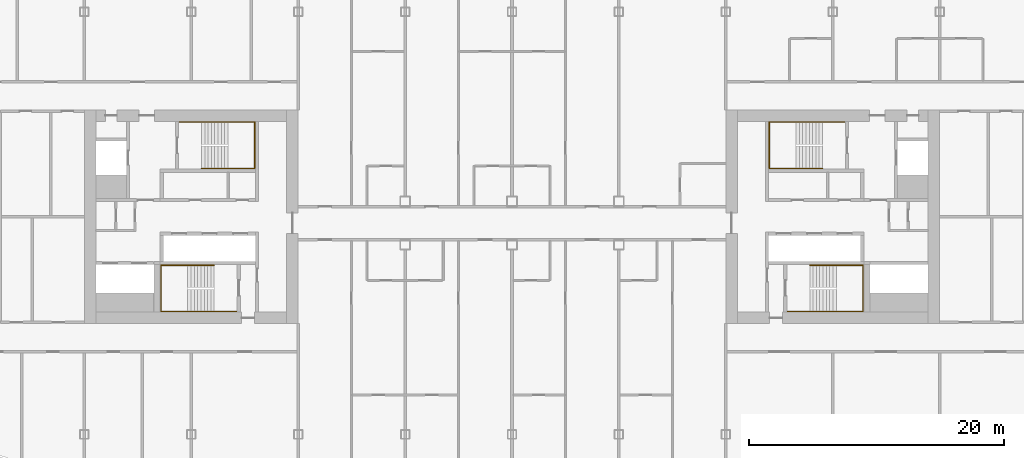
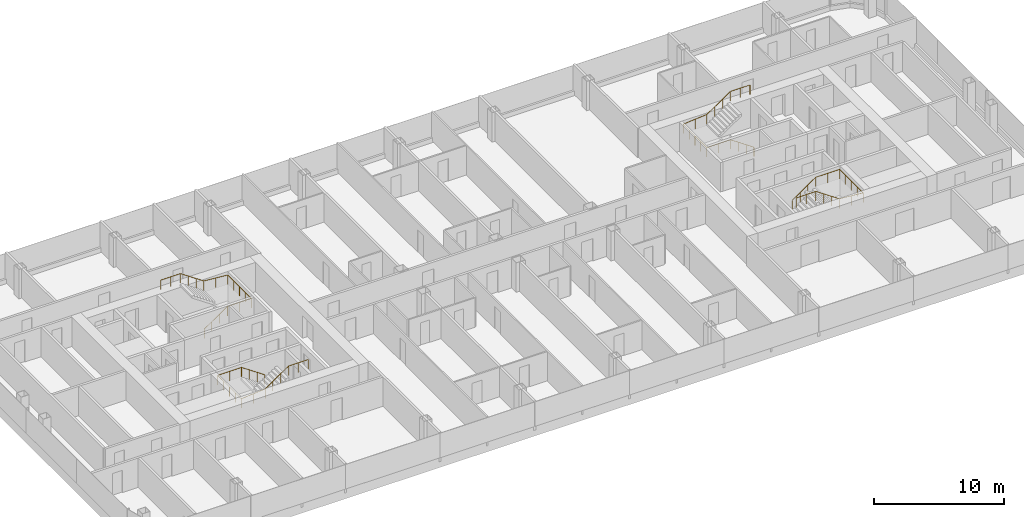
# One storey, part 26 of 26: 4 railings.
"""IFC4 building model written with IfcOpenShell, lengths in metres."""

from ifc_helpers import new_model, si_unit, direction, frame, origin, origin_2d, place, context, subcontext, project, spatial, circle, extrude, material, type_object, element, save


model = new_model("IFC4")

# Units and contexts
model_context = context("Model", 3, precision=1e-05, world=origin(), true_north=direction((0.0, 1.0)))
body_context = subcontext(model_context, "Body", "Model", "MODEL_VIEW")
ifc_project = project(units=[si_unit("LENGTHUNIT", "METRE"), si_unit("AREAUNIT", "SQUARE_METRE"), si_unit("VOLUMEUNIT", "CUBIC_METRE"), si_unit("PLANEANGLEUNIT", "RADIAN"), si_unit("MASSUNIT", "GRAM", prefix="KILO")], contexts=[model_context])

# Site, building, storey
site_placement = place(None, origin())
site = spatial("IfcSite", under=ifc_project, at=site_placement, CompositionType="ELEMENT")
building_placement = place(site_placement, origin())
building = spatial("IfcBuilding", under=site, at=building_placement, Name="Hakoniwa Tower and Hamabe Station Hall", CompositionType="ELEMENT")
storey_placement = place(building_placement, frame((0.0, 0.0, 159.800048828125)))
storey = spatial("IfcBuildingStorey", under=building, at=storey_placement, Name="L45", CompositionType="ELEMENT", Elevation=159.800048828125)

# Railings
ifc_material = material(Name="Stainless steel SUS304", Category="steel")
railing_type = type_object("IfcRailingType", Name="STAIR HANDRAIL 900", PredefinedType="HANDRAIL", material=ifc_material)
railing_1_placement = place(storey_placement, frame((-24.39990234375, 3.81005859375, 0.177734375)))
element("IfcRailing", 1, at=railing_1_placement, inside=storey, type_object=railing_type, Name="Handrail ST-1 L45 1", PredefinedType="HANDRAIL", context=body_context, shape_type="SweptSolid", body=[
    extrude(circle(Radius=0.02392578125, at=origin_2d()), frame((0.0, 0.0, 0.8759765625), z_axis=(0.825478349766, 0.0, 0.564433781827), x_axis=(0.0, 1.0, 0.0)), (0.0, 0.0, 1.0), 2.51953125),
    extrude(circle(Radius=0.02392578125, at=origin_2d()), frame((2.079833984375, 0.0, 2.2978515625), z_axis=(1.0, 0.0, 0.0), x_axis=(0.0, 1.0, 0.0)), (0.0, 0.0, 1.0), 2.110107421875),
    extrude(circle(Radius=0.02392578125, at=origin_2d()), frame((4.18994140625, 0.0, 2.2978515625), z_axis=(0.0, 1.0, 0.0), x_axis=(-1.0, 0.0, 0.0)), (0.0, 0.0, 1.0), 3.6298828125),
    extrude(circle(Radius=0.02392578125, at=origin_2d()), frame((4.18994140625, 3.6298828125, 2.2978515625), z_axis=(-0.996461767938, 0.0, 0.084047278587), x_axis=(0.0, -1.0, 0.0)), (0.0, 0.0, 1.0), 2.11767578125),
    extrude(circle(Radius=0.02392578125, at=origin_2d()), frame((2.079833984375, 3.6298828125, 2.47607421875), z_axis=(-0.825478349766, 0.0, 0.564433781827), x_axis=(0.0, -1.0, 0.0)), (0.0, 0.0, 1.0), 2.51953125),
    extrude(circle(Radius=0.02392578125, at=origin_2d()), frame((0.0, 3.6298828125, 3.89794921875), z_axis=(-1.0, 0.0, 0.0), x_axis=(0.0, -1.0, 0.0)), (0.0, 0.0, 1.0), 1.739990234375),
    extrude(circle(Radius=0.02099609375, at=origin_2d()), origin(), (0.0, 0.0, 1.0), 0.851806640625),
    extrude(circle(Radius=0.02099609375, at=origin_2d()), frame((0.693359375, 0.0, 0.47412109375)), (0.0, 0.0, 1.0), 0.851806640625),
    extrude(circle(Radius=0.02099609375, at=origin_2d()), frame((1.386474609375, 0.0, 0.947998046875)), (0.0, 0.0, 1.0), 0.851806640625),
    extrude(circle(Radius=0.02099609375, at=origin_2d()), frame((2.079833984375, 0.0, 1.422119140625)), (0.0, 0.0, 1.0), 0.851806640625),
    extrude(circle(Radius=0.02099609375, at=origin_2d()), frame((3.134765625, 0.0, 1.422119140625)), (0.0, 0.0, 1.0), 0.851806640625),
    extrude(circle(Radius=0.02099609375, at=origin_2d()), frame((4.18994140625, 0.0, 1.422119140625)), (0.0, 0.0, 1.0), 0.851806640625),
    extrude(circle(Radius=0.02099609375, at=origin_2d()), frame((4.18994140625, 0.907470703125, 1.422119140625)), (0.0, 0.0, 1.0), 0.851806640625),
    extrude(circle(Radius=0.02099609375, at=origin_2d()), frame((4.18994140625, 1.81494140625, 1.422119140625)), (0.0, 0.0, 1.0), 0.851806640625),
    extrude(circle(Radius=0.02099609375, at=origin_2d()), frame((4.18994140625, 2.722412109375, 1.422119140625)), (0.0, 0.0, 1.0), 0.851806640625),
    extrude(circle(Radius=0.02099609375, at=origin_2d()), frame((4.18994140625, 3.6298828125, 1.422119140625)), (0.0, 0.0, 1.0), 0.851806640625),
    extrude(circle(Radius=0.02099609375, at=origin_2d()), frame((3.134765625, 3.6298828125, 1.51123046875)), (0.0, 0.0, 1.0), 0.851806640625),
    extrude(circle(Radius=0.02099609375, at=origin_2d()), frame((2.079833984375, 3.6298828125, 1.60009765625)), (0.0, 0.0, 1.0), 0.851806640625),
    extrude(circle(Radius=0.02099609375, at=origin_2d()), frame((1.386474609375, 3.6298828125, 2.07421875)), (0.0, 0.0, 1.0), 0.851806640625),
    extrude(circle(Radius=0.02099609375, at=origin_2d()), frame((0.693359375, 3.6298828125, 2.548095703125)), (0.0, 0.0, 1.0), 0.851806640625),
    extrude(circle(Radius=0.02099609375, at=origin_2d()), frame((0.0, 3.6298828125, 3.022216796875)), (0.0, 0.0, 1.0), 0.851806640625),
    extrude(circle(Radius=0.02099609375, at=origin_2d()), frame((-0.8701171875, 3.6298828125, 3.022216796875)), (0.0, 0.0, 1.0), 0.851806640625),
    extrude(circle(Radius=0.02099609375, at=origin_2d()), frame((-1.739990234375, 3.6298828125, 3.022216796875)), (0.0, 0.0, 1.0), 0.851806640625),
])
railing_2_placement = place(storey_placement, frame((-23.39990234375, -3.81005859375, 0.177734375)))
element("IfcRailing", 2, at=railing_2_placement, inside=storey, type_object=railing_type, Name="Handrail ST-2 L45 1", PredefinedType="HANDRAIL", context=body_context, shape_type="SweptSolid", body=[
    extrude(circle(Radius=0.02392578125, at=origin_2d()), frame((0.0, 0.0, 0.8759765625), z_axis=(-0.82550921652, 0.0, 0.564388636881), x_axis=(0.0, -1.0, 0.0)), (0.0, 0.0, 1.0), 2.519775390625),
    extrude(circle(Radius=0.02392578125, at=origin_2d()), frame((-2.080078125, 0.0, 2.2978515625), z_axis=(-1.0, 0.0, 0.0), x_axis=(0.0, -1.0, 0.0)), (0.0, 0.0, 1.0), 2.110107421875),
    extrude(circle(Radius=0.02392578125, at=origin_2d()), frame((-4.190185546875, 0.0, 2.2978515625), z_axis=(0.0, -1.0, 0.0), x_axis=(1.0, 0.0, 0.0)), (0.0, 0.0, 1.0), 3.6298828125),
    extrude(circle(Radius=0.02392578125, at=origin_2d()), frame((-4.190185546875, -3.6298828125, 2.2978515625), z_axis=(0.996461767938, 0.0, 0.084047278587), x_axis=(0.0, 1.0, 0.0)), (0.0, 0.0, 1.0), 2.11767578125),
    extrude(circle(Radius=0.02392578125, at=origin_2d()), frame((-2.080078125, -3.6298828125, 2.47607421875), z_axis=(0.82550921652, 0.0, 0.564388636881), x_axis=(0.0, 1.0, 0.0)), (0.0, 0.0, 1.0), 2.519775390625),
    extrude(circle(Radius=0.02392578125, at=origin_2d()), frame((0.0, -3.6298828125, 3.89794921875), z_axis=(1.0, 0.0, 0.0), x_axis=(0.0, 1.0, 0.0)), (0.0, 0.0, 1.0), 1.739990234375),
    extrude(circle(Radius=0.02099609375, at=origin_2d()), origin(), (0.0, 0.0, 1.0), 0.851806640625),
    extrude(circle(Radius=0.02099609375, at=origin_2d()), frame((-0.693359375, 0.0, 0.47412109375)), (0.0, 0.0, 1.0), 0.851806640625),
    extrude(circle(Radius=0.02099609375, at=origin_2d()), frame((-1.38671875, 0.0, 0.947998046875)), (0.0, 0.0, 1.0), 0.851806640625),
    extrude(circle(Radius=0.02099609375, at=origin_2d()), frame((-2.080078125, 0.0, 1.422119140625)), (0.0, 0.0, 1.0), 0.851806640625),
    extrude(circle(Radius=0.02099609375, at=origin_2d()), frame((-3.13525390625, 0.0, 1.422119140625)), (0.0, 0.0, 1.0), 0.851806640625),
    extrude(circle(Radius=0.02099609375, at=origin_2d()), frame((-4.190185546875, 0.0, 1.422119140625)), (0.0, 0.0, 1.0), 0.851806640625),
    extrude(circle(Radius=0.02099609375, at=origin_2d()), frame((-4.190185546875, -0.907470703125, 1.422119140625)), (0.0, 0.0, 1.0), 0.851806640625),
    extrude(circle(Radius=0.02099609375, at=origin_2d()), frame((-4.190185546875, -1.81494140625, 1.422119140625)), (0.0, 0.0, 1.0), 0.851806640625),
    extrude(circle(Radius=0.02099609375, at=origin_2d()), frame((-4.190185546875, -2.722412109375, 1.422119140625)), (0.0, 0.0, 1.0), 0.851806640625),
    extrude(circle(Radius=0.02099609375, at=origin_2d()), frame((-4.190185546875, -3.6298828125, 1.422119140625)), (0.0, 0.0, 1.0), 0.851806640625),
    extrude(circle(Radius=0.02099609375, at=origin_2d()), frame((-3.13525390625, -3.6298828125, 1.51123046875)), (0.0, 0.0, 1.0), 0.851806640625),
    extrude(circle(Radius=0.02099609375, at=origin_2d()), frame((-2.080078125, -3.6298828125, 1.60009765625)), (0.0, 0.0, 1.0), 0.851806640625),
    extrude(circle(Radius=0.02099609375, at=origin_2d()), frame((-1.38671875, -3.6298828125, 2.07421875)), (0.0, 0.0, 1.0), 0.851806640625),
    extrude(circle(Radius=0.02099609375, at=origin_2d()), frame((-0.693359375, -3.6298828125, 2.548095703125)), (0.0, 0.0, 1.0), 0.851806640625),
    extrude(circle(Radius=0.02099609375, at=origin_2d()), frame((0.0, -3.6298828125, 3.022216796875)), (0.0, 0.0, 1.0), 0.851806640625),
    extrude(circle(Radius=0.02099609375, at=origin_2d()), frame((0.8701171875, -3.6298828125, 3.022216796875)), (0.0, 0.0, 1.0), 0.851806640625),
    extrude(circle(Radius=0.02099609375, at=origin_2d()), frame((1.739990234375, -3.6298828125, 3.022216796875)), (0.0, 0.0, 1.0), 0.851806640625),
])
railing_3_placement = place(storey_placement, frame((24.39990234375, 3.81005859375, 0.177734375)))
element("IfcRailing", 3, at=railing_3_placement, inside=storey, type_object=railing_type, Name="Handrail ST-3 L45 1", PredefinedType="HANDRAIL", context=body_context, shape_type="SweptSolid", body=[
    extrude(circle(Radius=0.02392578125, at=origin_2d()), frame((0.0, 0.0, 0.8759765625), z_axis=(-0.825478349766, 0.0, 0.564433781827), x_axis=(0.0, -1.0, 0.0)), (0.0, 0.0, 1.0), 2.51953125),
    extrude(circle(Radius=0.02392578125, at=origin_2d()), frame((-2.079833984375, 0.0, 2.2978515625), z_axis=(-1.0, 0.0, 0.0), x_axis=(0.0, -1.0, 0.0)), (0.0, 0.0, 1.0), 2.110107421875),
    extrude(circle(Radius=0.02392578125, at=origin_2d()), frame((-4.18994140625, 0.0, 2.2978515625), z_axis=(0.0, 1.0, 0.0), x_axis=(-1.0, 0.0, 0.0)), (0.0, 0.0, 1.0), 3.6298828125),
    extrude(circle(Radius=0.02392578125, at=origin_2d()), frame((-4.18994140625, 3.6298828125, 2.2978515625), z_axis=(0.996461767938, 0.0, 0.084047278587), x_axis=(0.0, 1.0, 0.0)), (0.0, 0.0, 1.0), 2.11767578125),
    extrude(circle(Radius=0.02392578125, at=origin_2d()), frame((-2.079833984375, 3.6298828125, 2.47607421875), z_axis=(0.825478349766, 0.0, 0.564433781827), x_axis=(0.0, 1.0, 0.0)), (0.0, 0.0, 1.0), 2.51953125),
    extrude(circle(Radius=0.02392578125, at=origin_2d()), frame((0.0, 3.6298828125, 3.89794921875), z_axis=(1.0, 0.0, 0.0), x_axis=(0.0, 1.0, 0.0)), (0.0, 0.0, 1.0), 1.739990234375),
    extrude(circle(Radius=0.02099609375, at=origin_2d()), origin(), (0.0, 0.0, 1.0), 0.851806640625),
    extrude(circle(Radius=0.02099609375, at=origin_2d()), frame((-0.693359375, 0.0, 0.47412109375)), (0.0, 0.0, 1.0), 0.851806640625),
    extrude(circle(Radius=0.02099609375, at=origin_2d()), frame((-1.386474609375, 0.0, 0.947998046875)), (0.0, 0.0, 1.0), 0.851806640625),
    extrude(circle(Radius=0.02099609375, at=origin_2d()), frame((-2.079833984375, 0.0, 1.422119140625)), (0.0, 0.0, 1.0), 0.851806640625),
    extrude(circle(Radius=0.02099609375, at=origin_2d()), frame((-3.134765625, 0.0, 1.422119140625)), (0.0, 0.0, 1.0), 0.851806640625),
    extrude(circle(Radius=0.02099609375, at=origin_2d()), frame((-4.18994140625, 0.0, 1.422119140625)), (0.0, 0.0, 1.0), 0.851806640625),
    extrude(circle(Radius=0.02099609375, at=origin_2d()), frame((-4.18994140625, 0.907470703125, 1.422119140625)), (0.0, 0.0, 1.0), 0.851806640625),
    extrude(circle(Radius=0.02099609375, at=origin_2d()), frame((-4.18994140625, 1.81494140625, 1.422119140625)), (0.0, 0.0, 1.0), 0.851806640625),
    extrude(circle(Radius=0.02099609375, at=origin_2d()), frame((-4.18994140625, 2.722412109375, 1.422119140625)), (0.0, 0.0, 1.0), 0.851806640625),
    extrude(circle(Radius=0.02099609375, at=origin_2d()), frame((-4.18994140625, 3.6298828125, 1.422119140625)), (0.0, 0.0, 1.0), 0.851806640625),
    extrude(circle(Radius=0.02099609375, at=origin_2d()), frame((-3.134765625, 3.6298828125, 1.51123046875)), (0.0, 0.0, 1.0), 0.851806640625),
    extrude(circle(Radius=0.02099609375, at=origin_2d()), frame((-2.079833984375, 3.6298828125, 1.60009765625)), (0.0, 0.0, 1.0), 0.851806640625),
    extrude(circle(Radius=0.02099609375, at=origin_2d()), frame((-1.386474609375, 3.6298828125, 2.07421875)), (0.0, 0.0, 1.0), 0.851806640625),
    extrude(circle(Radius=0.02099609375, at=origin_2d()), frame((-0.693359375, 3.6298828125, 2.548095703125)), (0.0, 0.0, 1.0), 0.851806640625),
    extrude(circle(Radius=0.02099609375, at=origin_2d()), frame((0.0, 3.6298828125, 3.022216796875)), (0.0, 0.0, 1.0), 0.851806640625),
    extrude(circle(Radius=0.02099609375, at=origin_2d()), frame((0.8701171875, 3.6298828125, 3.022216796875)), (0.0, 0.0, 1.0), 0.851806640625),
    extrude(circle(Radius=0.02099609375, at=origin_2d()), frame((1.739990234375, 3.6298828125, 3.022216796875)), (0.0, 0.0, 1.0), 0.851806640625),
])
railing_4_placement = place(storey_placement, frame((23.39990234375, -3.81005859375, 0.177734375)))
element("IfcRailing", 4, at=railing_4_placement, inside=storey, type_object=railing_type, Name="Handrail ST-4 L45 1", PredefinedType="HANDRAIL", context=body_context, shape_type="SweptSolid", body=[
    extrude(circle(Radius=0.02392578125, at=origin_2d()), frame((0.0, 0.0, 0.8759765625), z_axis=(0.82550921652, 0.0, 0.564388636881), x_axis=(0.0, 1.0, 0.0)), (0.0, 0.0, 1.0), 2.519775390625),
    extrude(circle(Radius=0.02392578125, at=origin_2d()), frame((2.080078125, 0.0, 2.2978515625), z_axis=(1.0, 0.0, 0.0), x_axis=(0.0, 1.0, 0.0)), (0.0, 0.0, 1.0), 2.110107421875),
    extrude(circle(Radius=0.02392578125, at=origin_2d()), frame((4.190185546875, 0.0, 2.2978515625), z_axis=(0.0, -1.0, 0.0), x_axis=(1.0, 0.0, 0.0)), (0.0, 0.0, 1.0), 3.6298828125),
    extrude(circle(Radius=0.02392578125, at=origin_2d()), frame((4.190185546875, -3.6298828125, 2.2978515625), z_axis=(-0.996461767938, 0.0, 0.084047278587), x_axis=(0.0, -1.0, 0.0)), (0.0, 0.0, 1.0), 2.11767578125),
    extrude(circle(Radius=0.02392578125, at=origin_2d()), frame((2.080078125, -3.6298828125, 2.47607421875), z_axis=(-0.82550921652, 0.0, 0.564388636881), x_axis=(0.0, -1.0, 0.0)), (0.0, 0.0, 1.0), 2.519775390625),
    extrude(circle(Radius=0.02392578125, at=origin_2d()), frame((0.0, -3.6298828125, 3.89794921875), z_axis=(-1.0, 0.0, 0.0), x_axis=(0.0, -1.0, 0.0)), (0.0, 0.0, 1.0), 1.739990234375),
    extrude(circle(Radius=0.02099609375, at=origin_2d()), origin(), (0.0, 0.0, 1.0), 0.851806640625),
    extrude(circle(Radius=0.02099609375, at=origin_2d()), frame((0.693359375, 0.0, 0.47412109375)), (0.0, 0.0, 1.0), 0.851806640625),
    extrude(circle(Radius=0.02099609375, at=origin_2d()), frame((1.38671875, 0.0, 0.947998046875)), (0.0, 0.0, 1.0), 0.851806640625),
    extrude(circle(Radius=0.02099609375, at=origin_2d()), frame((2.080078125, 0.0, 1.422119140625)), (0.0, 0.0, 1.0), 0.851806640625),
    extrude(circle(Radius=0.02099609375, at=origin_2d()), frame((3.13525390625, 0.0, 1.422119140625)), (0.0, 0.0, 1.0), 0.851806640625),
    extrude(circle(Radius=0.02099609375, at=origin_2d()), frame((4.190185546875, 0.0, 1.422119140625)), (0.0, 0.0, 1.0), 0.851806640625),
    extrude(circle(Radius=0.02099609375, at=origin_2d()), frame((4.190185546875, -0.907470703125, 1.422119140625)), (0.0, 0.0, 1.0), 0.851806640625),
    extrude(circle(Radius=0.02099609375, at=origin_2d()), frame((4.190185546875, -1.81494140625, 1.422119140625)), (0.0, 0.0, 1.0), 0.851806640625),
    extrude(circle(Radius=0.02099609375, at=origin_2d()), frame((4.190185546875, -2.722412109375, 1.422119140625)), (0.0, 0.0, 1.0), 0.851806640625),
    extrude(circle(Radius=0.02099609375, at=origin_2d()), frame((4.190185546875, -3.6298828125, 1.422119140625)), (0.0, 0.0, 1.0), 0.851806640625),
    extrude(circle(Radius=0.02099609375, at=origin_2d()), frame((3.13525390625, -3.6298828125, 1.51123046875)), (0.0, 0.0, 1.0), 0.851806640625),
    extrude(circle(Radius=0.02099609375, at=origin_2d()), frame((2.080078125, -3.6298828125, 1.60009765625)), (0.0, 0.0, 1.0), 0.851806640625),
    extrude(circle(Radius=0.02099609375, at=origin_2d()), frame((1.38671875, -3.6298828125, 2.07421875)), (0.0, 0.0, 1.0), 0.851806640625),
    extrude(circle(Radius=0.02099609375, at=origin_2d()), frame((0.693359375, -3.6298828125, 2.548095703125)), (0.0, 0.0, 1.0), 0.851806640625),
    extrude(circle(Radius=0.02099609375, at=origin_2d()), frame((0.0, -3.6298828125, 3.022216796875)), (0.0, 0.0, 1.0), 0.851806640625),
    extrude(circle(Radius=0.02099609375, at=origin_2d()), frame((-0.8701171875, -3.6298828125, 3.022216796875)), (0.0, 0.0, 1.0), 0.851806640625),
    extrude(circle(Radius=0.02099609375, at=origin_2d()), frame((-1.739990234375, -3.6298828125, 3.022216796875)), (0.0, 0.0, 1.0), 0.851806640625),
])

save(model, "model.ifc")
